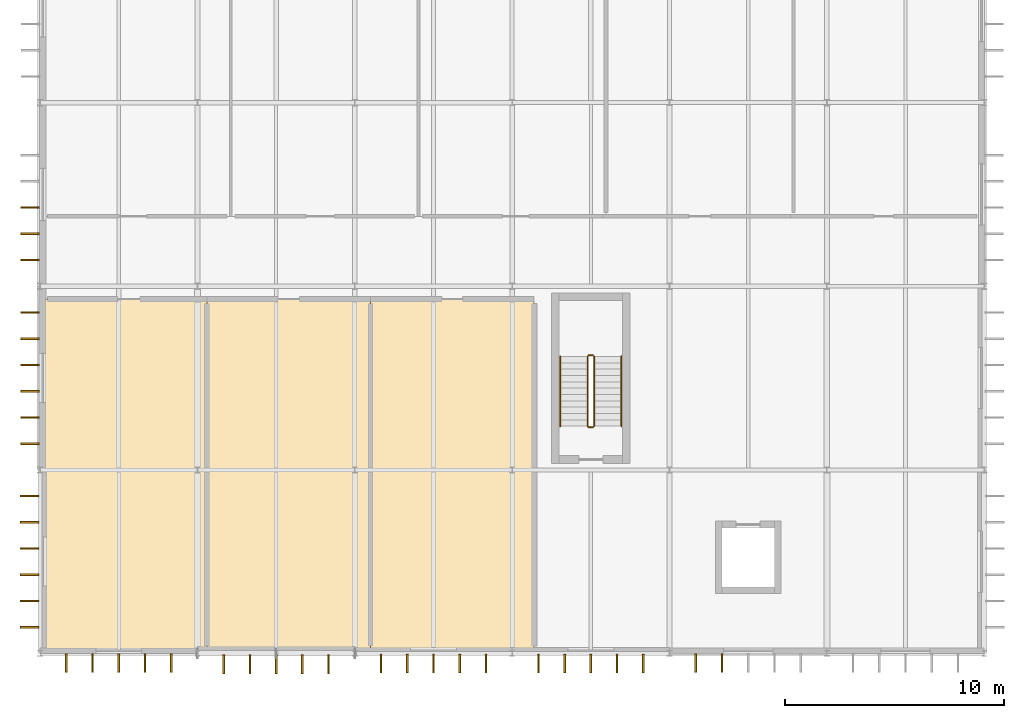
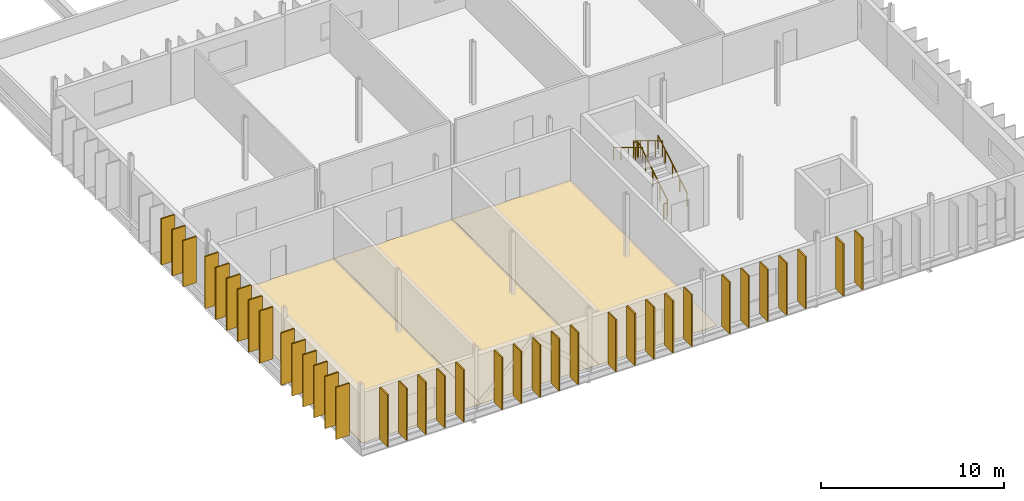
# One storey, part 104 of 119: 37 shading devices, 6 railings, 3 coverings.
"""IFC4 building model written with IfcOpenShell, lengths in metres."""

from ifc_helpers import new_model, si_unit, direction, frame, origin, origin_2d, place, context, subcontext, project, spatial, polyline, rectangle, circle, outline, extrude, material, layer, layer_set, type_object, element, save


model = new_model("IFC4")

# Units and contexts
model_context = context("Model", 3, precision=1e-05, world=origin(), true_north=direction((0.0, 1.0)))
body_context = subcontext(model_context, "Body", "Model", "MODEL_VIEW")
ifc_project = project(units=[si_unit("LENGTHUNIT", "METRE"), si_unit("AREAUNIT", "SQUARE_METRE"), si_unit("VOLUMEUNIT", "CUBIC_METRE"), si_unit("PLANEANGLEUNIT", "RADIAN"), si_unit("MASSUNIT", "GRAM", prefix="KILO")], contexts=[model_context])

# Site, building, storey
site_placement = place(None, origin())
site = spatial("IfcSite", under=ifc_project, at=site_placement, CompositionType="ELEMENT")
building_placement = place(site_placement, origin())
building = spatial("IfcBuilding", under=site, at=building_placement, Name="Qelthora Terrace Specialist Clinic", CompositionType="ELEMENT")
storey_placement = place(building_placement, frame((0.0, 0.0, 4.800048828125)))
storey = spatial("IfcBuildingStorey", under=building, at=storey_placement, Name="L01", CompositionType="ELEMENT", Elevation=4.800048828125)

# Coverings
ifc_material_1 = material(Name="Antimicrobial clinical linoleum flooring", Category="other")
ifc_layer = layer(ifc_material_1, 0.011962890625)
ifc_layer_set = layer_set([ifc_layer], Name="Antimicrobial clinical linoleum flooring")
covering_type = type_object("IfcCoveringType", Name="COV-FLR-LINO-12", PredefinedType="FLOORING", material=ifc_layer_set)
covering_1_placement = place(storey_placement, origin())
element("IfcCovering", 1, at=covering_1_placement, inside=storey, type_object=covering_type, Name="Interventional Angiography Suite L01-11 resilient linoleum flooring", PredefinedType="FLOORING", context=body_context, shape_type="SweptSolid", body=[
    extrude(outline(polyline([(0.14990234375, 0.14990234375), (0.14990234375, 16.199951171875), (7.63330078125, 16.199951171875), (7.63330078125, 0.14990234375), (0.14990234375, 0.14990234375)])), origin(), (0.0, 0.0, 1.0), 0.011962890625),
])
covering_2_placement = place(storey_placement, origin())
element("IfcCovering", 2, at=covering_2_placement, inside=storey, type_object=covering_type, Name="Interventional CT Procedure L01-12 resilient linoleum flooring", PredefinedType="FLOORING", context=body_context, shape_type="SweptSolid", body=[
    extrude(outline(polyline([(7.63818359375, 0.14990234375), (7.63818359375, 16.199951171875), (15.11669921875, 16.199951171875), (15.11669921875, 0.14990234375), (7.63818359375, 0.14990234375)])), origin(), (0.0, 0.0, 1.0), 0.011962890625),
])
covering_3_placement = place(storey_placement, origin())
element("IfcCovering", 3, at=covering_3_placement, inside=storey, type_object=covering_type, Name="Radiology Reporting Room L01-13 resilient linoleum flooring", PredefinedType="FLOORING", context=body_context, shape_type="SweptSolid", body=[
    extrude(outline(polyline([(15.12158203125, 0.14990234375), (15.12158203125, 16.199951171875), (22.60009765625, 16.199951171875), (22.60009765625, 0.14990234375), (15.12158203125, 0.14990234375)])), origin(), (0.0, 0.0, 1.0), 0.011962890625),
])

# Railings
ifc_material_2 = material(Name="Steel S355", Category="steel")
railing_type_1 = type_object("IfcRailingType", Name="RAL-GD-1100-S355", PredefinedType="GUARDRAIL", material=ifc_material_2)
railing_1_placement = place(storey_placement, frame((25.35009765625, 10.39990234375, 0.175048828125)))
element("IfcRailing", 4, at=railing_1_placement, inside=storey, type_object=railing_type_1, Name="L01 ST-03 stair guard 1", PredefinedType="GUARDRAIL", context=body_context, shape_type="SweptSolid", body=[
    extrude(circle(Radius=0.02392578125, at=origin_2d()), frame((0.0, 0.0, 1.076171875), z_axis=(0.0, 0.856224141417, 0.516604509905), x_axis=(-1.0, 0.0, 0.0)), (0.0, 0.0, 1.0), 3.725830078125),
    extrude(circle(Radius=0.02099609375, at=origin_2d()), origin(), (0.0, 0.0, 1.0), 1.052001953125),
    extrude(circle(Radius=0.02099609375, at=origin_2d()), frame((0.0, 0.797607421875, 0.481201171875)), (0.0, 0.0, 1.0), 1.052001953125),
    extrude(circle(Radius=0.02099609375, at=origin_2d()), frame((0.0, 1.59521484375, 0.96240234375)), (0.0, 0.0, 1.0), 1.052001953125),
    extrude(circle(Radius=0.02099609375, at=origin_2d()), frame((0.0, 2.392578125, 1.443603515625)), (0.0, 0.0, 1.0), 1.052001953125),
    extrude(circle(Radius=0.02099609375, at=origin_2d()), frame((0.0, 3.190185546875, 1.9248046875)), (0.0, 0.0, 1.0), 1.052001953125),
])
railing_2_placement = place(storey_placement, frame((25.300048828125, 13.639892578125, 2.099853515625)))
element("IfcRailing", 5, at=railing_2_placement, inside=storey, type_object=railing_type_1, Name="L01 ST-03 stair guard 2", PredefinedType="GUARDRAIL", context=body_context, shape_type="SweptSolid", body=[
    extrude(circle(Radius=0.02392578125, at=origin_2d()), frame((0.0, 0.0, 1.076171875), z_axis=(-1.0, 0.0, 0.0), x_axis=(0.0, -1.0, 0.0)), (0.0, 0.0, 1.0), 0.199951171875),
    extrude(circle(Radius=0.02099609375, at=origin_2d()), origin(), (0.0, 0.0, 1.0), 1.052001953125),
    extrude(circle(Radius=0.02099609375, at=origin_2d()), frame((-0.199951171875, 0.0, 0.0)), (0.0, 0.0, 1.0), 1.052001953125),
])
railing_3_placement = place(storey_placement, frame((25.050048828125, 13.590087890625, 2.27490234375)))
element("IfcRailing", 6, at=railing_3_placement, inside=storey, type_object=railing_type_1, Name="L01 ST-03 stair guard 3", PredefinedType="GUARDRAIL", context=body_context, shape_type="SweptSolid", body=[
    extrude(circle(Radius=0.02392578125, at=origin_2d()), frame((0.0, 0.0, 1.076171875), z_axis=(0.0, -0.856195157123, 0.516652545643), x_axis=(1.0, 0.0, 0.0)), (0.0, 0.0, 1.0), 3.72607421875),
    extrude(circle(Radius=0.02099609375, at=origin_2d()), origin(), (0.0, 0.0, 1.0), 1.052001953125),
    extrude(circle(Radius=0.02099609375, at=origin_2d()), frame((0.0, -0.797607421875, 0.481201171875)), (0.0, 0.0, 1.0), 1.052001953125),
    extrude(circle(Radius=0.02099609375, at=origin_2d()), frame((0.0, -1.59521484375, 0.96240234375)), (0.0, 0.0, 1.0), 1.052001953125),
    extrude(circle(Radius=0.02099609375, at=origin_2d()), frame((0.0, -2.392578125, 1.44384765625)), (0.0, 0.0, 1.0), 1.052001953125),
    extrude(circle(Radius=0.02099609375, at=origin_2d()), frame((0.0, -3.190185546875, 1.925048828125)), (0.0, 0.0, 1.0), 1.052001953125),
])
railing_4_placement = place(storey_placement, frame((25.300048828125, 10.35009765625, 0.0)))
element("IfcRailing", 7, at=railing_4_placement, inside=storey, type_object=railing_type_1, Name="L01 ST-03 stair guard 4", PredefinedType="GUARDRAIL", context=body_context, shape_type="SweptSolid", body=[
    extrude(circle(Radius=0.02392578125, at=origin_2d()), frame((0.0, 0.0, 1.076171875), z_axis=(-1.0, 0.0, 0.0), x_axis=(0.0, -1.0, 0.0)), (0.0, 0.0, 1.0), 0.199951171875),
    extrude(circle(Radius=0.02099609375, at=origin_2d()), origin(), (0.0, 0.0, 1.0), 1.052001953125),
    extrude(circle(Radius=0.02099609375, at=origin_2d()), frame((-0.199951171875, 0.0, 0.0)), (0.0, 0.0, 1.0), 1.052001953125),
])
railing_type_2 = type_object("IfcRailingType", Name="RAL-HR-900-S355", PredefinedType="HANDRAIL", material=ifc_material_2)
railing_5_placement = place(storey_placement, frame((26.60009765625, 10.39990234375, 0.367919921875)))
element("IfcRailing", 8, at=railing_5_placement, inside=storey, type_object=railing_type_2, Name="L01 ST-03 stair handrail 1", PredefinedType="HANDRAIL", context=body_context, shape_type="SweptSolid", body=[
    extrude(circle(Radius=0.02392578125, at=origin_2d()), frame((0.0, 0.0, 0.8759765625), z_axis=(0.0, 0.856195157123, 0.516652545643), x_axis=(-1.0, 0.0, 0.0)), (0.0, 0.0, 1.0), 3.72607421875),
    extrude(circle(Radius=0.02099609375, at=origin_2d()), origin(), (0.0, 0.0, 1.0), 0.851806640625),
    extrude(circle(Radius=0.02099609375, at=origin_2d()), frame((0.0, 0.797607421875, 0.481201171875)), (0.0, 0.0, 1.0), 0.851806640625),
    extrude(circle(Radius=0.02099609375, at=origin_2d()), frame((0.0, 1.59521484375, 0.96240234375)), (0.0, 0.0, 1.0), 0.851806640625),
    extrude(circle(Radius=0.02099609375, at=origin_2d()), frame((0.0, 2.392578125, 1.44384765625)), (0.0, 0.0, 1.0), 0.851806640625),
    extrude(circle(Radius=0.02099609375, at=origin_2d()), frame((0.0, 3.190185546875, 1.925048828125)), (0.0, 0.0, 1.0), 0.851806640625),
])
railing_6_placement = place(storey_placement, frame((23.800048828125, 13.590087890625, 2.468017578125)))
element("IfcRailing", 9, at=railing_6_placement, inside=storey, type_object=railing_type_2, Name="L01 ST-03 stair handrail 2", PredefinedType="HANDRAIL", context=body_context, shape_type="SweptSolid", body=[
    extrude(circle(Radius=0.02392578125, at=origin_2d()), frame((0.0, 0.0, 0.8759765625), z_axis=(0.0, -0.856195157123, 0.516652545643), x_axis=(1.0, 0.0, 0.0)), (0.0, 0.0, 1.0), 3.72607421875),
    extrude(circle(Radius=0.02099609375, at=origin_2d()), origin(), (0.0, 0.0, 1.0), 0.851806640625),
    extrude(circle(Radius=0.02099609375, at=origin_2d()), frame((0.0, -0.797607421875, 0.481201171875)), (0.0, 0.0, 1.0), 0.851806640625),
    extrude(circle(Radius=0.02099609375, at=origin_2d()), frame((0.0, -1.59521484375, 0.96240234375)), (0.0, 0.0, 1.0), 0.851806640625),
    extrude(circle(Radius=0.02099609375, at=origin_2d()), frame((0.0, -2.392578125, 1.44384765625)), (0.0, 0.0, 1.0), 0.851806640625),
    extrude(circle(Radius=0.02099609375, at=origin_2d()), frame((0.0, -3.190185546875, 1.925048828125)), (0.0, 0.0, 1.0), 0.851806640625),
])

# Shading devices
ifc_material_3 = material(Name="Glulam timber GL28h", Category="wood")
shading_device_type = type_object("IfcShadingDeviceType", Name="SHD-FIN-850", PredefinedType="USERDEFINED", material=ifc_material_3)
for number, where, z_axis, x_axis, name in (
    (10, (1.199951171875, -0.43505859375, 0.0), (0.0, 0.0, 1.0), (0.0, -1.0, 0.0), "Exterior solar shading fin FIN-0972"),
    (11, (2.39990234375, -0.43505859375, 0.0), (0.0, 0.0, 1.0), (0.0, -1.0, 0.0), "Exterior solar shading fin FIN-0973"),
    (12, (3.60009765625, -0.43505859375, 0.0), (0.0, 0.0, 1.0), (0.0, -1.0, 0.0), "Exterior solar shading fin FIN-0974"),
    (13, (4.800048828125, -0.43505859375, 0.0), (0.0, 0.0, 1.0), (0.0, -1.0, 0.0), "Exterior solar shading fin FIN-0975"),
    (14, (6.0, -0.43505859375, 0.0), (0.0, 0.0, 1.0), (0.0, -1.0, 0.0), "Exterior solar shading fin FIN-0976"),
    (15, (8.39990234375, -0.4951171875, 0.0), (0.0, 0.0, 1.0), (0.0, -1.0, 0.0), "Exterior solar shading fin FIN-0977"),
    (16, (9.60009765625, -0.4951171875, 0.0), (0.0, 0.0, 1.0), (0.0, -1.0, 0.0), "Exterior solar shading fin FIN-0978"),
    (17, (10.800048828125, -0.4951171875, 0.0), (0.0, 0.0, 1.0), (0.0, -1.0, 0.0), "Exterior solar shading fin FIN-0979"),
    (18, (12.0, -0.4951171875, 0.0), (0.0, 0.0, 1.0), (0.0, -1.0, 0.0), "Exterior solar shading fin FIN-0980"),
    (19, (13.199951171875, -0.4951171875, 0.0), (0.0, 0.0, 1.0), (0.0, -1.0, 0.0), "Exterior solar shading fin FIN-0981"),
    (20, (15.60009765625, -0.465087890625, 0.0), (0.0, 0.0, 1.0), (0.0, -1.0, 0.0), "Exterior solar shading fin FIN-0982"),
    (21, (16.800048828125, -0.465087890625, 0.0), (0.0, 0.0, 1.0), (0.0, -1.0, 0.0), "Exterior solar shading fin FIN-0983"),
    (22, (18.0, -0.465087890625, 0.0), (0.0, 0.0, 1.0), (0.0, -1.0, 0.0), "Exterior solar shading fin FIN-0984"),
    (23, (19.199951171875, -0.465087890625, 0.0), (0.0, 0.0, 1.0), (0.0, -1.0, 0.0), "Exterior solar shading fin FIN-0985"),
    (24, (20.39990234375, -0.465087890625, 0.0), (0.0, 0.0, 1.0), (0.0, -1.0, 0.0), "Exterior solar shading fin FIN-0986"),
    (25, (22.800048828125, -0.455078125, 0.0), (0.0, 0.0, 1.0), (0.0, -1.0, 0.0), "Exterior solar shading fin FIN-0987"),
    (26, (24.0, -0.455078125, 0.0), (0.0, 0.0, 1.0), (0.0, -1.0, 0.0), "Exterior solar shading fin FIN-0988"),
    (27, (25.199951171875, -0.455078125, 0.0), (0.0, 0.0, 1.0), (0.0, -1.0, 0.0), "Exterior solar shading fin FIN-0989"),
    (28, (26.39990234375, -0.455078125, 0.0), (0.0, 0.0, 1.0), (0.0, -1.0, 0.0), "Exterior solar shading fin FIN-0990"),
    (29, (27.60009765625, -0.455078125, 0.0), (0.0, 0.0, 1.0), (0.0, -1.0, 0.0), "Exterior solar shading fin FIN-0991"),
):
    element("IfcShadingDevice", number, at=place(storey_placement, frame(where, z_axis=z_axis, x_axis=x_axis)), inside=storey, type_object=shading_device_type, Name=name, ObjectType="FIN", PredefinedType="USERDEFINED", context=body_context, shape_type="SweptSolid", body=[
        extrude(rectangle(XDim=0.85009765625, YDim=0.080078125, at=origin_2d()), origin(), (0.0, 0.0, 1.0), 3.48193359375),
    ])
for number, where, z_axis, x_axis, name in (
    (30, (30.0, -0.445068359375, 0.0), (0.0, 0.0, 1.0), (0.0, -1.0, 0.0), "Exterior solar shading fin FIN-0992"),
    (31, (31.199951171875, -0.445068359375, 0.0), (0.0, 0.0, 1.0), (0.0, -1.0, 0.0), "Exterior solar shading fin FIN-0993"),
):
    element("IfcShadingDevice", number, at=place(storey_placement, frame(where, z_axis=z_axis, x_axis=x_axis)), inside=storey, type_object=shading_device_type, Name=name, ObjectType="FIN", PredefinedType="USERDEFINED", context=body_context, shape_type="SweptSolid", body=[
        extrude(rectangle(XDim=0.85009765625, YDim=0.080078125, at=origin_2d()), origin(), (0.0, 0.0, 1.0), 3.47802734375),
    ])
for number, where, z_axis, x_axis, name in (
    (32, (-0.4951171875, 1.199951171875, 0.0), (0.0, 0.0, 1.0), (-1.0, 0.0, 0.0), "Exterior solar shading fin FIN-1002"),
    (33, (-0.4951171875, 2.39990234375, 0.0), (0.0, 0.0, 1.0), (-1.0, 0.0, 0.0), "Exterior solar shading fin FIN-1003"),
    (34, (-0.4951171875, 3.60009765625, 0.0), (0.0, 0.0, 1.0), (-1.0, 0.0, 0.0), "Exterior solar shading fin FIN-1004"),
    (35, (-0.4951171875, 4.800048828125, 0.0), (0.0, 0.0, 1.0), (-1.0, 0.0, 0.0), "Exterior solar shading fin FIN-1005"),
    (36, (-0.4951171875, 6.0, 0.0), (0.0, 0.0, 1.0), (-1.0, 0.0, 0.0), "Exterior solar shading fin FIN-1006"),
    (37, (-0.4951171875, 7.199951171875, 0.0), (0.0, 0.0, 1.0), (-1.0, 0.0, 0.0), "Exterior solar shading fin FIN-1007"),
    (38, (-0.465087890625, 9.60009765625, 0.0), (0.0, 0.0, 1.0), (-1.0, 0.0, 0.0), "Exterior solar shading fin FIN-1008"),
    (39, (-0.465087890625, 10.800048828125, 0.0), (0.0, 0.0, 1.0), (-1.0, 0.0, 0.0), "Exterior solar shading fin FIN-1009"),
    (40, (-0.465087890625, 12.0, 0.0), (0.0, 0.0, 1.0), (-1.0, 0.0, 0.0), "Exterior solar shading fin FIN-1010"),
    (41, (-0.465087890625, 13.199951171875, 0.0), (0.0, 0.0, 1.0), (-1.0, 0.0, 0.0), "Exterior solar shading fin FIN-1011"),
    (42, (-0.465087890625, 14.39990234375, 0.0), (0.0, 0.0, 1.0), (-1.0, 0.0, 0.0), "Exterior solar shading fin FIN-1012"),
    (43, (-0.465087890625, 15.60009765625, 0.0), (0.0, 0.0, 1.0), (-1.0, 0.0, 0.0), "Exterior solar shading fin FIN-1013"),
):
    element("IfcShadingDevice", number, at=place(storey_placement, frame(where, z_axis=z_axis, x_axis=x_axis)), inside=storey, type_object=shading_device_type, Name=name, ObjectType="FIN", PredefinedType="USERDEFINED", context=body_context, shape_type="SweptSolid", body=[
        extrude(rectangle(XDim=0.85009765625, YDim=0.080078125, at=origin_2d()), origin(), (0.0, 0.0, 1.0), 3.48193359375),
    ])
for number, where, z_axis, x_axis, name in (
    (44, (-0.455078125, 18.0, 0.0), (0.0, 0.0, 1.0), (-1.0, 0.0, 0.0), "Exterior solar shading fin FIN-1014"),
    (45, (-0.455078125, 19.199951171875, 0.0), (0.0, 0.0, 1.0), (-1.0, 0.0, 0.0), "Exterior solar shading fin FIN-1015"),
    (46, (-0.455078125, 20.39990234375, 0.0), (0.0, 0.0, 1.0), (-1.0, 0.0, 0.0), "Exterior solar shading fin FIN-1016"),
):
    element("IfcShadingDevice", number, at=place(storey_placement, frame(where, z_axis=z_axis, x_axis=x_axis)), inside=storey, type_object=shading_device_type, Name=name, ObjectType="FIN", PredefinedType="USERDEFINED", context=body_context, shape_type="SweptSolid", body=[
        extrude(rectangle(XDim=0.85009765625, YDim=0.080078125, at=origin_2d()), origin(), (0.0, 0.0, 1.0), 3.091064453125),
    ])

save(model, "model.ifc")
